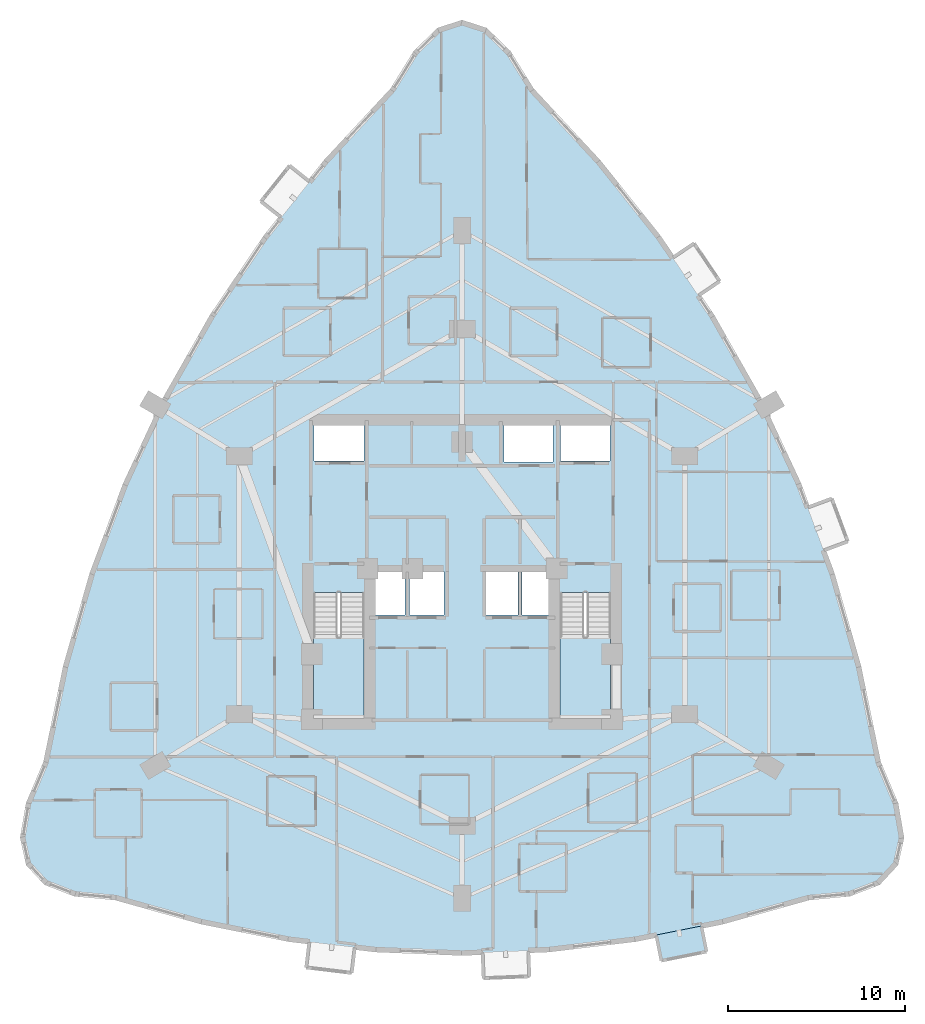
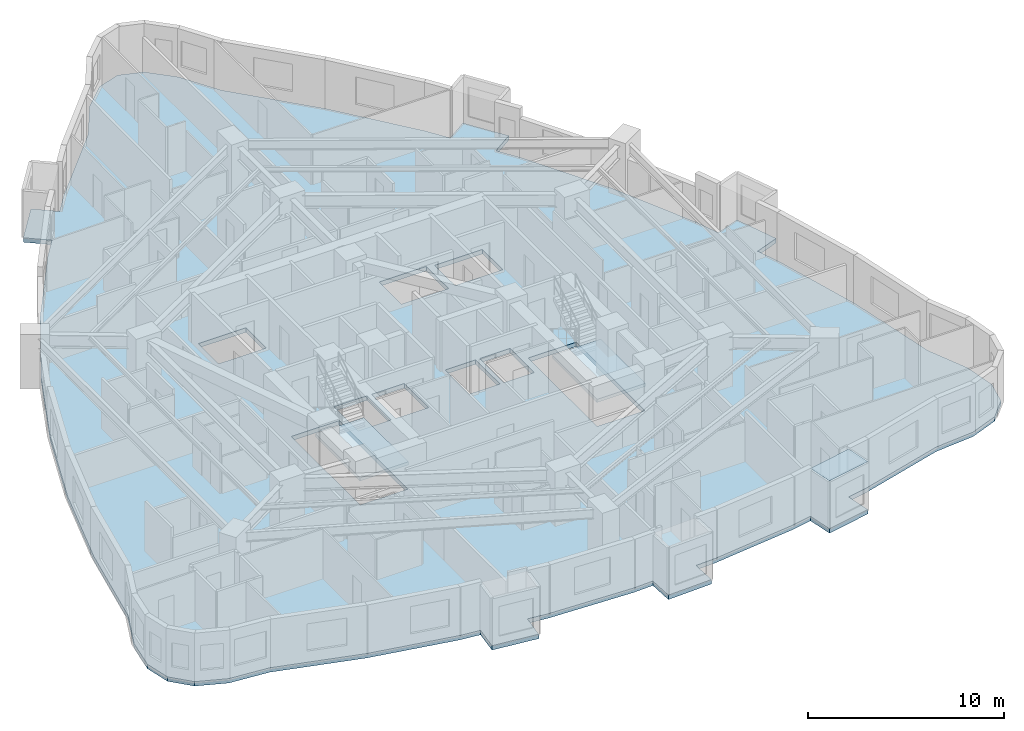
# One storey, part 4 of 16: 3 slabs, 1 plate, 2 elements without a shape of their own.
"""IFC4 building model written with IfcOpenShell, lengths in metres."""

from ifc_helpers import new_model, si_unit, direction, frame, origin, place, context, subcontext, project, spatial, polyline, outline, extrude, material, layer, layer_set, type_object, element, aggregate, save


model = new_model("IFC4")

# Units and contexts
model_context = context("Model", 3, precision=1e-05, world=origin(), true_north=direction((0.0, 1.0)))
body_context = subcontext(model_context, "Body", "Model", "MODEL_VIEW")
ifc_project = project(units=[si_unit("LENGTHUNIT", "METRE"), si_unit("AREAUNIT", "SQUARE_METRE"), si_unit("VOLUMEUNIT", "CUBIC_METRE"), si_unit("PLANEANGLEUNIT", "RADIAN"), si_unit("MASSUNIT", "GRAM", prefix="KILO")], contexts=[model_context])

# Site, building, storey
site_placement = place(None, origin())
site = spatial("IfcSite", under=ifc_project, at=site_placement, CompositionType="ELEMENT")
building_placement = place(site_placement, origin())
building = spatial("IfcBuilding", under=site, at=building_placement, Name="Miruveldt Soraemaru", CompositionType="ELEMENT")
storey_placement = place(building_placement, frame((0.0, 0.0, 42.800048828125)))
storey = spatial("IfcBuildingStorey", under=building, at=storey_placement, Name="L11", CompositionType="ELEMENT", Elevation=42.800048828125)

# Plate
ifc_material_1 = material(Name="Standing-seam titanium-zinc sheet", Category="aluminium")
ifc_layer_1 = layer(ifc_material_1, 0.011962890625, Name="Standing-seam titanium-zinc sheet", Category="aluminium")
ifc_layer_set_1 = layer_set([ifc_layer_1], Name="Standing-seam titanium-zinc sheet")
plate_type = type_object("IfcPlateType", Name="PLT-ZINC-12", PredefinedType="SHEET", material=ifc_layer_set_1)
plate_placement = place(storey_placement, frame((0.0, 0.0, 2.974853515625)))
element("IfcPlate", 1, at=plate_placement, inside=storey, type_object=plate_type, Name="L11 Bay Window Zinc Hood Sheet 3", PredefinedType="SHEET", context=body_context, shape_type="SweptSolid", body=[
    extrude(outline(polyline([(54.984375, 23.31298828125), (57.533935546875, 23.82275390625), (57.82421875, 22.37158203125), (55.2744140625, 21.861572265625), (54.984375, 23.31298828125)])), origin(), (0.0, 0.0, 1.0), 0.01220703125),
])

# Stair, slab
ifc_material_2 = material(Name="Concrete C40/50 (40 MPa)", Category="concrete")
stair_type = type_object("IfcStairType", Name="STAIR-DL-340", PredefinedType="HALF_TURN_STAIR", material=ifc_material_2)
stair_1_placement = place(storey_placement, origin())
stair_1 = element("IfcStair", 2, at=stair_1_placement, inside=storey, type_object=stair_type, Name="L11 Protected Exit Stair ST-1", PredefinedType="HALF_TURN_STAIR")
ifc_layer_2 = layer(ifc_material_2, 0.199951171875, Name="Concrete C40/50 (40 MPa)", Category="concrete")
ifc_layer_set_2 = layer_set([ifc_layer_2], Name="Concrete C40/50 (40 MPa)")
slab_type_1 = type_object("IfcSlabType", Name="SLAB-LAND-200", PredefinedType="LANDING", material=ifc_layer_set_2)
slab_1_placement = place(storey_placement, frame((0.0, 0.0, 1.5)))
slab_1 = element("IfcSlab", 3, at=slab_1_placement, type_object=slab_type_1, Name="ST-1 landing 1", PredefinedType="LANDING", context=body_context, shape_type="SweptSolid", body=[
    extrude(outline(polyline([(35.60009765625, 40.197998046875), (35.60009765625, 35.64990234375), (38.449951171875, 35.64990234375), (38.449951171875, 40.197998046875), (35.60009765625, 40.197998046875)])), origin(), (0.0, 0.0, 1.0), 0.199951171875),
])
aggregate(stair_1, [slab_1])

stair_2_placement = place(storey_placement, origin())
stair_2 = element("IfcStair", 4, at=stair_2_placement, inside=storey, type_object=stair_type, Name="L11 Protected Exit Stair ST-2", PredefinedType="HALF_TURN_STAIR")
slab_2_placement = place(storey_placement, frame((0.0, 0.0, 1.5)))
slab_2 = element("IfcSlab", 5, at=slab_2_placement, type_object=slab_type_1, Name="ST-2 landing 1", PredefinedType="LANDING", context=body_context, shape_type="SweptSolid", body=[
    extrude(outline(polyline([(49.550048828125, 40.197998046875), (49.550048828125, 35.64990234375), (52.39990234375, 35.64990234375), (52.39990234375, 40.197998046875), (49.550048828125, 40.197998046875)])), origin(), (0.0, 0.0, 1.0), 0.199951171875),
])
aggregate(stair_2, [slab_2])

# Slab
ifc_layer_3 = layer(ifc_material_2, 0.27490234375, Name="Concrete C40/50 (40 MPa)", Category="concrete")
ifc_layer_set_3 = layer_set([ifc_layer_3], Name="Concrete C40/50 (40 MPa)")
slab_type_2 = type_object("IfcSlabType", Name="SLAB-RES1-275", PredefinedType="FLOOR", material=ifc_layer_set_3)
slab_3_placement = place(storey_placement, frame((0.0, 0.0, -0.275146484375)))
element("IfcSlab", 6, at=slab_3_placement, inside=storey, type_object=slab_type_2, Name="L11 Structural Floor Slab", PredefinedType="FLOOR", context=body_context, shape_type="SweptSolid", body=[
    extrude(outline(polyline([(45.2119140625, 20.860107421875), (45.15283203125, 22.339111328125), (46.451904296875, 22.39111328125), (44.0, 22.29296875), (39.096435546875, 22.489013671875), (36.64453125, 22.783203125), (37.935302734375, 22.62841796875), (37.7587890625, 21.15869140625), (35.177490234375, 21.46875), (35.353759765625, 22.938232421875), (34.192626953125, 23.077392578125), (29.2890625, 24.05810546875), (24.385498046875, 25.43115234375), (22.091796875, 25.64306640625), (20.453369140625, 26.27880859375), (19.47021484375, 27.338134765625), (19.142578125, 28.821533203125), (19.47021484375, 30.728515625), (20.453369140625, 33.059326171875), (21.5732421875, 38.502197265625), (23.073974609375, 43.748779296875), (24.954833984375, 48.79931640625), (27.216552734375, 53.653564453125), (29.858642578125, 58.311767578125), (32.881103515625, 62.773681640625), (34.582763671875, 64.90673828125), (33.77197265625, 63.890380859375), (32.614990234375, 64.8134765625), (34.236328125, 66.845947265625), (35.393310546875, 65.923095703125), (36.2841796875, 67.039794921875), (40.06787109375, 71.109619140625), (41.37841796875, 73.228515625), (42.689208984375, 74.499755859375), (44.0, 74.923583984375), (45.310791015625, 74.499755859375), (46.62158203125, 73.228515625), (47.93212890625, 71.109619140625), (51.7158203125, 67.039794921875), (55.118896484375, 62.773681640625), (55.901123046875, 61.619140625), (57.12646484375, 62.44921875), (58.58447265625, 60.29638671875), (57.359130859375, 59.466552734375), (58.141357421875, 58.311767578125), (60.783447265625, 53.653564453125), (63.045166015625, 48.79931640625), (63.985595703125, 46.27392578125), (63.531982421875, 47.4921875), (64.918701171875, 48.0087890625), (65.826171875, 45.572265625), (64.439208984375, 45.0556640625), (64.926025390625, 43.748779296875), (66.4267578125, 38.502197265625), (67.546630859375, 33.059326171875), (68.52978515625, 30.728515625), (68.857421875, 28.821533203125), (68.52978515625, 27.338134765625), (67.546630859375, 26.27880859375), (65.908203125, 25.64306640625), (63.614501953125, 25.43115234375), (58.7109375, 24.05810546875), (57.533935546875, 23.82275390625), (57.82421875, 22.37158203125), (55.2744140625, 21.861572265625), (54.984375, 23.31298828125), (53.807373046875, 23.077392578125), (48.903564453125, 22.489013671875), (47.750732421875, 22.44287109375), (47.809814453125, 20.964111328125), (45.2119140625, 20.860107421875)]), holes=[polyline([(35.614990234375, 35.6650390625), (38.43505859375, 35.6650390625), (38.43505859375, 42.68505859375), (35.614990234375, 42.68505859375), (35.614990234375, 35.6650390625)]), polyline([(49.56494140625, 35.6650390625), (52.385009765625, 35.6650390625), (52.385009765625, 42.68505859375), (49.56494140625, 42.68505859375), (49.56494140625, 35.6650390625)]), polyline([(40.764892578125, 41.4150390625), (40.764892578125, 43.885009765625), (38.81494140625, 43.885009765625), (38.81494140625, 41.4150390625), (40.764892578125, 41.4150390625)]), polyline([(42.965087890625, 41.4150390625), (42.965087890625, 43.885009765625), (41.034912109375, 43.885009765625), (41.034912109375, 41.4150390625), (42.965087890625, 41.4150390625)]), polyline([(47.1650390625, 41.4150390625), (47.1650390625, 43.885009765625), (45.364990234375, 43.885009765625), (45.364990234375, 41.4150390625), (47.1650390625, 41.4150390625)]), polyline([(49.18505859375, 41.4150390625), (49.18505859375, 43.885009765625), (47.39501953125, 43.885009765625), (47.39501953125, 41.4150390625), (49.18505859375, 41.4150390625)]), polyline([(38.445068359375, 50.135009765625), (38.445068359375, 52.205078125), (35.635009765625, 52.205078125), (35.635009765625, 50.135009765625), (38.445068359375, 50.135009765625)]), polyline([(49.554931640625, 50.135009765625), (52.364990234375, 50.135009765625), (52.364990234375, 52.205078125), (49.554931640625, 52.205078125), (49.554931640625, 50.135009765625)]), polyline([(46.364990234375, 50.06494140625), (49.135009765625, 50.06494140625), (49.135009765625, 52.3349609375), (46.364990234375, 52.3349609375), (46.364990234375, 50.06494140625)])]), origin(), (0.0, 0.0, 1.0), 0.275146484375),
])

save(model, "model.ifc")
